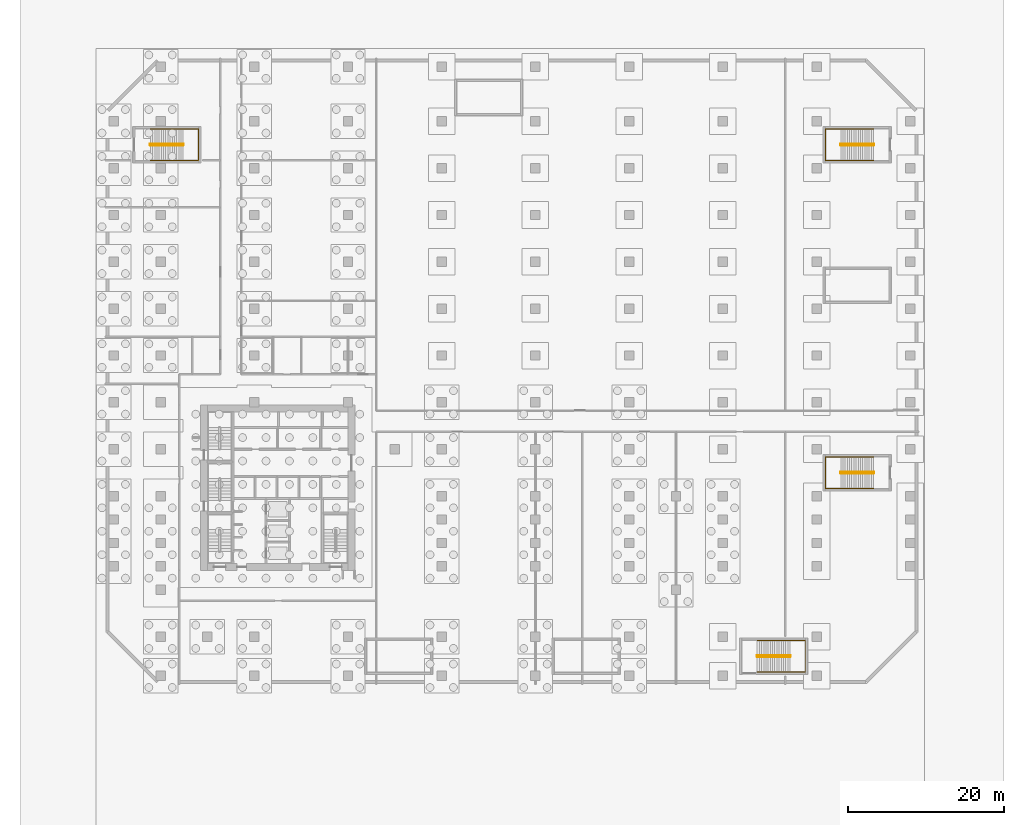
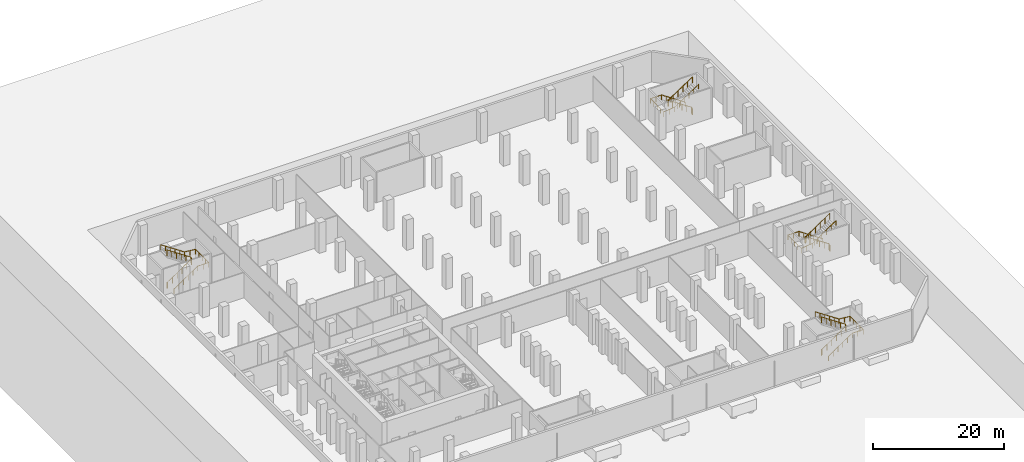
# One storey, part 15 of 16: 8 railings.
"""IFC4 building model written with IfcOpenShell, lengths in metres."""

from ifc_helpers import new_model, si_unit, direction, frame, origin, origin_2d, place, context, subcontext, project, spatial, circle, extrude, material, type_object, element, save


model = new_model("IFC4")

# Units and contexts
model_context = context("Model", 3, precision=1e-05, world=origin(), true_north=direction((0.0, 1.0)))
body_context = subcontext(model_context, "Body", "Model", "MODEL_VIEW")
ifc_project = project(units=[si_unit("LENGTHUNIT", "METRE"), si_unit("AREAUNIT", "SQUARE_METRE"), si_unit("VOLUMEUNIT", "CUBIC_METRE"), si_unit("PLANEANGLEUNIT", "RADIAN"), si_unit("MASSUNIT", "GRAM", prefix="KILO")], contexts=[model_context])

# Site, building, storey
site_placement = place(None, origin())
site = spatial("IfcSite", under=ifc_project, at=site_placement, CompositionType="ELEMENT")
building_placement = place(site_placement, origin())
building = spatial("IfcBuilding", under=site, at=building_placement, Name="Welwitschia Terrace Campus", CompositionType="ELEMENT")
storey_placement = place(building_placement, frame((0.0, 0.0, -6.0)))
storey = spatial("IfcBuildingStorey", under=building, at=storey_placement, Name="B1", CompositionType="ELEMENT", Elevation=-6.0)

# Railings
ifc_material_1 = material(Name="Steel S355", Category="steel")
railing_type_1 = type_object("IfcRailingType", Name="Stair guard 1100", PredefinedType="GUARDRAIL", material=ifc_material_1)
railing_1_placement = place(storey_placement, frame((91.35009765625, 58.925048828125, 0.0)))
element("IfcRailing", 1, at=railing_1_placement, inside=storey, type_object=railing_type_1, Name="B1 P3 stair guard", PredefinedType="GUARDRAIL", context=body_context, shape_type="SweptSolid", body=[
    extrude(circle(Radius=0.02392578125, at=origin_2d()), frame((0.0, 0.0, 1.076171875), z_axis=(0.0, 1.0, 0.0), x_axis=(-1.0, 0.0, 0.0)), (0.0, 0.0, 1.0), 0.14990234375),
    extrude(circle(Radius=0.02392578125, at=origin_2d()), frame((0.0, 0.14990234375, 1.076171875), z_axis=(-0.249726431254, 0.249726431254, 0.935560483917), x_axis=(-0.707106781187, -0.707106781187, 0.0)), (0.0, 0.0, 1.0), 0.200439453125),
    extrude(circle(Radius=0.02392578125, at=origin_2d()), frame((-0.050048828125, 0.199951171875, 1.263671875), z_axis=(-0.830904186295, 0.0, 0.556415522067), x_axis=(0.0, -1.0, 0.0)), (0.0, 0.0, 1.0), 5.0546875),
    extrude(circle(Radius=0.02392578125, at=origin_2d()), frame((-4.25, 0.199951171875, 4.076171875), z_axis=(-0.707106781187, -0.707106781187, 0.0), x_axis=(0.707106781187, -0.707106781187, 0.0)), (0.0, 0.0, 1.0), 0.07080078125),
    extrude(circle(Radius=0.02392578125, at=origin_2d()), frame((-4.300048828125, 0.14990234375, 4.076171875), z_axis=(0.0, -1.0, 0.0), x_axis=(1.0, 0.0, 0.0)), (0.0, 0.0, 1.0), 0.14990234375),
    extrude(circle(Radius=0.02392578125, at=origin_2d()), frame((-4.300048828125, 0.0, 4.076171875), z_axis=(0.249726431254, -0.249726431254, 0.935560483917), x_axis=(0.707106781187, 0.707106781187, 0.0)), (0.0, 0.0, 1.0), 0.200439453125),
    extrude(circle(Radius=0.02392578125, at=origin_2d()), frame((-4.25, -0.050048828125, 4.263671875), z_axis=(0.830904186295, 0.0, 0.556415522067), x_axis=(0.0, 1.0, 0.0)), (0.0, 0.0, 1.0), 5.0546875),
    extrude(circle(Radius=0.02099609375, at=origin_2d()), origin(), (0.0, 0.0, 1.0), 1.052001953125),
    extrude(circle(Radius=0.02099609375, at=origin_2d()), frame((0.0, 0.14990234375, 0.0)), (0.0, 0.0, 1.0), 1.052001953125),
    extrude(circle(Radius=0.02099609375, at=origin_2d()), frame((-0.050048828125, 0.199951171875, 0.1875)), (0.0, 0.0, 1.0), 1.052001953125),
    extrude(circle(Radius=0.02099609375, at=origin_2d()), frame((-0.89013671875, 0.199951171875, 0.75)), (0.0, 0.0, 1.0), 1.052001953125),
    extrude(circle(Radius=0.02099609375, at=origin_2d()), frame((-1.72998046875, 0.199951171875, 1.3125)), (0.0, 0.0, 1.0), 1.052001953125),
    extrude(circle(Radius=0.02099609375, at=origin_2d()), frame((-2.570068359375, 0.199951171875, 1.875)), (0.0, 0.0, 1.0), 1.052001953125),
    extrude(circle(Radius=0.02099609375, at=origin_2d()), frame((-3.409912109375, 0.199951171875, 2.4375)), (0.0, 0.0, 1.0), 1.052001953125),
    extrude(circle(Radius=0.02099609375, at=origin_2d()), frame((-4.25, 0.199951171875, 3.0)), (0.0, 0.0, 1.0), 1.052001953125),
    extrude(circle(Radius=0.02099609375, at=origin_2d()), frame((-4.300048828125, 0.14990234375, 3.0)), (0.0, 0.0, 1.0), 1.052001953125),
    extrude(circle(Radius=0.02099609375, at=origin_2d()), frame((-4.300048828125, 0.0, 3.0)), (0.0, 0.0, 1.0), 1.052001953125),
    extrude(circle(Radius=0.02099609375, at=origin_2d()), frame((-4.25, -0.050048828125, 3.1875)), (0.0, 0.0, 1.0), 1.052001953125),
    extrude(circle(Radius=0.02099609375, at=origin_2d()), frame((-3.409912109375, -0.050048828125, 3.75)), (0.0, 0.0, 1.0), 1.052001953125),
    extrude(circle(Radius=0.02099609375, at=origin_2d()), frame((-2.570068359375, -0.050048828125, 4.3125)), (0.0, 0.0, 1.0), 1.052001953125),
    extrude(circle(Radius=0.02099609375, at=origin_2d()), frame((-1.72998046875, -0.050048828125, 4.875)), (0.0, 0.0, 1.0), 1.052001953125),
    extrude(circle(Radius=0.02099609375, at=origin_2d()), frame((-0.89013671875, -0.050048828125, 5.4375)), (0.0, 0.0, 1.0), 1.052001953125),
    extrude(circle(Radius=0.02099609375, at=origin_2d()), frame((-0.050048828125, -0.050048828125, 6.0)), (0.0, 0.0, 1.0), 1.052001953125),
])
railing_2_placement = place(storey_placement, frame((-1.35009765625, 59.074951171875, 0.0)))
element("IfcRailing", 2, at=railing_2_placement, inside=storey, type_object=railing_type_1, Name="B1 P4 stair guard", PredefinedType="GUARDRAIL", context=body_context, shape_type="SweptSolid", body=[
    extrude(circle(Radius=0.02392578125, at=origin_2d()), frame((0.0, 0.0, 1.076171875), z_axis=(0.0, -1.0, 0.0), x_axis=(1.0, 0.0, 0.0)), (0.0, 0.0, 1.0), 0.14990234375),
    extrude(circle(Radius=0.02392578125, at=origin_2d()), frame((0.0, -0.14990234375, 1.076171875), z_axis=(0.249726431254, -0.249726431254, 0.935560483917), x_axis=(0.707106781187, 0.707106781187, 0.0)), (0.0, 0.0, 1.0), 0.200439453125),
    extrude(circle(Radius=0.02392578125, at=origin_2d()), frame((0.050048828125, -0.199951171875, 1.263671875), z_axis=(0.830904186295, 0.0, 0.556415522067), x_axis=(0.0, 1.0, 0.0)), (0.0, 0.0, 1.0), 5.0546875),
    extrude(circle(Radius=0.02392578125, at=origin_2d()), frame((4.25, -0.199951171875, 4.076171875), z_axis=(0.707106781187, 0.707106781187, 0.0), x_axis=(-0.707106781187, 0.707106781187, 0.0)), (0.0, 0.0, 1.0), 0.07080078125),
    extrude(circle(Radius=0.02392578125, at=origin_2d()), frame((4.300048828125, -0.14990234375, 4.076171875), z_axis=(0.0, 1.0, 0.0), x_axis=(-1.0, 0.0, 0.0)), (0.0, 0.0, 1.0), 0.14990234375),
    extrude(circle(Radius=0.02392578125, at=origin_2d()), frame((4.300048828125, 0.0, 4.076171875), z_axis=(-0.249726431254, 0.249726431254, 0.935560483917), x_axis=(-0.707106781187, -0.707106781187, 0.0)), (0.0, 0.0, 1.0), 0.200439453125),
    extrude(circle(Radius=0.02392578125, at=origin_2d()), frame((4.25, 0.050048828125, 4.263671875), z_axis=(-0.830904186295, 0.0, 0.556415522067), x_axis=(0.0, -1.0, 0.0)), (0.0, 0.0, 1.0), 5.0546875),
    extrude(circle(Radius=0.02099609375, at=origin_2d()), origin(), (0.0, 0.0, 1.0), 1.052001953125),
    extrude(circle(Radius=0.02099609375, at=origin_2d()), frame((0.0, -0.14990234375, 0.0)), (0.0, 0.0, 1.0), 1.052001953125),
    extrude(circle(Radius=0.02099609375, at=origin_2d()), frame((0.050048828125, -0.199951171875, 0.1875)), (0.0, 0.0, 1.0), 1.052001953125),
    extrude(circle(Radius=0.02099609375, at=origin_2d()), frame((0.89013671875, -0.199951171875, 0.75)), (0.0, 0.0, 1.0), 1.052001953125),
    extrude(circle(Radius=0.02099609375, at=origin_2d()), frame((1.72998046875, -0.199951171875, 1.3125)), (0.0, 0.0, 1.0), 1.052001953125),
    extrude(circle(Radius=0.02099609375, at=origin_2d()), frame((2.570068359375, -0.199951171875, 1.875)), (0.0, 0.0, 1.0), 1.052001953125),
    extrude(circle(Radius=0.02099609375, at=origin_2d()), frame((3.409912109375, -0.199951171875, 2.4375)), (0.0, 0.0, 1.0), 1.052001953125),
    extrude(circle(Radius=0.02099609375, at=origin_2d()), frame((4.25, -0.199951171875, 3.0)), (0.0, 0.0, 1.0), 1.052001953125),
    extrude(circle(Radius=0.02099609375, at=origin_2d()), frame((4.300048828125, -0.14990234375, 3.0)), (0.0, 0.0, 1.0), 1.052001953125),
    extrude(circle(Radius=0.02099609375, at=origin_2d()), frame((4.300048828125, 0.0, 3.0)), (0.0, 0.0, 1.0), 1.052001953125),
    extrude(circle(Radius=0.02099609375, at=origin_2d()), frame((4.25, 0.050048828125, 3.1875)), (0.0, 0.0, 1.0), 1.052001953125),
    extrude(circle(Radius=0.02099609375, at=origin_2d()), frame((3.409912109375, 0.050048828125, 3.75)), (0.0, 0.0, 1.0), 1.052001953125),
    extrude(circle(Radius=0.02099609375, at=origin_2d()), frame((2.570068359375, 0.050048828125, 4.3125)), (0.0, 0.0, 1.0), 1.052001953125),
    extrude(circle(Radius=0.02099609375, at=origin_2d()), frame((1.72998046875, 0.050048828125, 4.875)), (0.0, 0.0, 1.0), 1.052001953125),
    extrude(circle(Radius=0.02099609375, at=origin_2d()), frame((0.89013671875, 0.050048828125, 5.4375)), (0.0, 0.0, 1.0), 1.052001953125),
    extrude(circle(Radius=0.02099609375, at=origin_2d()), frame((0.050048828125, 0.050048828125, 6.0)), (0.0, 0.0, 1.0), 1.052001953125),
])
railing_3_placement = place(storey_placement, frame((76.35009765625, -6.425048828125, 0.0)))
element("IfcRailing", 3, at=railing_3_placement, inside=storey, type_object=railing_type_1, Name="B1 P5 stair guard", PredefinedType="GUARDRAIL", context=body_context, shape_type="SweptSolid", body=[
    extrude(circle(Radius=0.02392578125, at=origin_2d()), frame((0.0, 0.0, 1.076171875), z_axis=(0.0, -1.0, 0.0), x_axis=(1.0, 0.0, 0.0)), (0.0, 0.0, 1.0), 0.14990234375),
    extrude(circle(Radius=0.02392578125, at=origin_2d()), frame((0.0, -0.14990234375, 1.076171875), z_axis=(0.248583702486, -0.249802250048, 0.935844527007), x_axis=(0.708833529934, 0.705375805398, 0.0)), (0.0, 0.0, 1.0), 0.200439453125),
    extrude(circle(Radius=0.02392578125, at=origin_2d()), frame((0.0498046875, -0.199951171875, 1.263671875), z_axis=(0.830919138977, 0.0, 0.55639319234), x_axis=(0.0, 1.0, 0.0)), (0.0, 0.0, 1.0), 5.054931640625),
    extrude(circle(Radius=0.02392578125, at=origin_2d()), frame((4.25, -0.199951171875, 4.076171875), z_axis=(0.705375805398, 0.708833529934, 0.0), x_axis=(-0.708833529934, 0.705375805398, 0.0)), (0.0, 0.0, 1.0), 0.070556640625),
    extrude(circle(Radius=0.02392578125, at=origin_2d()), frame((4.2998046875, -0.14990234375, 4.076171875), z_axis=(0.0, 1.0, 0.0), x_axis=(-1.0, 0.0, 0.0)), (0.0, 0.0, 1.0), 0.14990234375),
    extrude(circle(Radius=0.02392578125, at=origin_2d()), frame((4.2998046875, 0.0, 4.076171875), z_axis=(-0.248583702486, 0.249802250048, 0.935844527007), x_axis=(-0.708833529934, -0.705375805398, 0.0)), (0.0, 0.0, 1.0), 0.200439453125),
    extrude(circle(Radius=0.02392578125, at=origin_2d()), frame((4.25, 0.050048828125, 4.263671875), z_axis=(-0.830919138977, 0.0, 0.55639319234), x_axis=(0.0, -1.0, 0.0)), (0.0, 0.0, 1.0), 5.054931640625),
    extrude(circle(Radius=0.02099609375, at=origin_2d()), origin(), (0.0, 0.0, 1.0), 1.052001953125),
    extrude(circle(Radius=0.02099609375, at=origin_2d()), frame((0.0, -0.14990234375, 0.0)), (0.0, 0.0, 1.0), 1.052001953125),
    extrude(circle(Radius=0.02099609375, at=origin_2d()), frame((0.0498046875, -0.199951171875, 0.1875)), (0.0, 0.0, 1.0), 1.052001953125),
    extrude(circle(Radius=0.02099609375, at=origin_2d()), frame((0.889892578125, -0.199951171875, 0.75)), (0.0, 0.0, 1.0), 1.052001953125),
    extrude(circle(Radius=0.02099609375, at=origin_2d()), frame((1.72998046875, -0.199951171875, 1.3125)), (0.0, 0.0, 1.0), 1.052001953125),
    extrude(circle(Radius=0.02099609375, at=origin_2d()), frame((2.56982421875, -0.199951171875, 1.875)), (0.0, 0.0, 1.0), 1.052001953125),
    extrude(circle(Radius=0.02099609375, at=origin_2d()), frame((3.409912109375, -0.199951171875, 2.4375)), (0.0, 0.0, 1.0), 1.052001953125),
    extrude(circle(Radius=0.02099609375, at=origin_2d()), frame((4.25, -0.199951171875, 3.0)), (0.0, 0.0, 1.0), 1.052001953125),
    extrude(circle(Radius=0.02099609375, at=origin_2d()), frame((4.2998046875, -0.14990234375, 3.0)), (0.0, 0.0, 1.0), 1.052001953125),
    extrude(circle(Radius=0.02099609375, at=origin_2d()), frame((4.2998046875, 0.0, 3.0)), (0.0, 0.0, 1.0), 1.052001953125),
    extrude(circle(Radius=0.02099609375, at=origin_2d()), frame((4.25, 0.050048828125, 3.1875)), (0.0, 0.0, 1.0), 1.052001953125),
    extrude(circle(Radius=0.02099609375, at=origin_2d()), frame((3.409912109375, 0.050048828125, 3.75)), (0.0, 0.0, 1.0), 1.052001953125),
    extrude(circle(Radius=0.02099609375, at=origin_2d()), frame((2.56982421875, 0.050048828125, 4.3125)), (0.0, 0.0, 1.0), 1.052001953125),
    extrude(circle(Radius=0.02099609375, at=origin_2d()), frame((1.72998046875, 0.050048828125, 4.875)), (0.0, 0.0, 1.0), 1.052001953125),
    extrude(circle(Radius=0.02099609375, at=origin_2d()), frame((0.889892578125, 0.050048828125, 5.4375)), (0.0, 0.0, 1.0), 1.052001953125),
    extrude(circle(Radius=0.02099609375, at=origin_2d()), frame((0.0498046875, 0.050048828125, 6.0)), (0.0, 0.0, 1.0), 1.052001953125),
])
railing_4_placement = place(storey_placement, frame((91.35009765625, 16.925048828125, 0.0)))
element("IfcRailing", 4, at=railing_4_placement, inside=storey, type_object=railing_type_1, Name="B1 P6 stair guard", PredefinedType="GUARDRAIL", context=body_context, shape_type="SweptSolid", body=[
    extrude(circle(Radius=0.02392578125, at=origin_2d()), frame((0.0, 0.0, 1.076171875), z_axis=(0.0, 1.0, 0.0), x_axis=(-1.0, 0.0, 0.0)), (0.0, 0.0, 1.0), 0.14990234375),
    extrude(circle(Radius=0.02392578125, at=origin_2d()), frame((0.0, 0.14990234375, 1.076171875), z_axis=(-0.249726431254, 0.249726431254, 0.935560483917), x_axis=(-0.707106781187, -0.707106781187, 0.0)), (0.0, 0.0, 1.0), 0.200439453125),
    extrude(circle(Radius=0.02392578125, at=origin_2d()), frame((-0.050048828125, 0.199951171875, 1.263671875), z_axis=(-0.830904186295, 0.0, 0.556415522067), x_axis=(0.0, -1.0, 0.0)), (0.0, 0.0, 1.0), 5.0546875),
    extrude(circle(Radius=0.02392578125, at=origin_2d()), frame((-4.25, 0.199951171875, 4.076171875), z_axis=(-0.707106781187, -0.707106781187, 0.0), x_axis=(0.707106781187, -0.707106781187, 0.0)), (0.0, 0.0, 1.0), 0.07080078125),
    extrude(circle(Radius=0.02392578125, at=origin_2d()), frame((-4.300048828125, 0.14990234375, 4.076171875), z_axis=(0.0, -1.0, 0.0), x_axis=(1.0, 0.0, 0.0)), (0.0, 0.0, 1.0), 0.14990234375),
    extrude(circle(Radius=0.02392578125, at=origin_2d()), frame((-4.300048828125, 0.0, 4.076171875), z_axis=(0.249726431254, -0.249726431254, 0.935560483917), x_axis=(0.707106781187, 0.707106781187, 0.0)), (0.0, 0.0, 1.0), 0.200439453125),
    extrude(circle(Radius=0.02392578125, at=origin_2d()), frame((-4.25, -0.050048828125, 4.263671875), z_axis=(0.830904186295, 0.0, 0.556415522067), x_axis=(0.0, 1.0, 0.0)), (0.0, 0.0, 1.0), 5.0546875),
    extrude(circle(Radius=0.02099609375, at=origin_2d()), origin(), (0.0, 0.0, 1.0), 1.052001953125),
    extrude(circle(Radius=0.02099609375, at=origin_2d()), frame((0.0, 0.14990234375, 0.0)), (0.0, 0.0, 1.0), 1.052001953125),
    extrude(circle(Radius=0.02099609375, at=origin_2d()), frame((-0.050048828125, 0.199951171875, 0.1875)), (0.0, 0.0, 1.0), 1.052001953125),
    extrude(circle(Radius=0.02099609375, at=origin_2d()), frame((-0.89013671875, 0.199951171875, 0.75)), (0.0, 0.0, 1.0), 1.052001953125),
    extrude(circle(Radius=0.02099609375, at=origin_2d()), frame((-1.72998046875, 0.199951171875, 1.3125)), (0.0, 0.0, 1.0), 1.052001953125),
    extrude(circle(Radius=0.02099609375, at=origin_2d()), frame((-2.570068359375, 0.199951171875, 1.875)), (0.0, 0.0, 1.0), 1.052001953125),
    extrude(circle(Radius=0.02099609375, at=origin_2d()), frame((-3.409912109375, 0.199951171875, 2.4375)), (0.0, 0.0, 1.0), 1.052001953125),
    extrude(circle(Radius=0.02099609375, at=origin_2d()), frame((-4.25, 0.199951171875, 3.0)), (0.0, 0.0, 1.0), 1.052001953125),
    extrude(circle(Radius=0.02099609375, at=origin_2d()), frame((-4.300048828125, 0.14990234375, 3.0)), (0.0, 0.0, 1.0), 1.052001953125),
    extrude(circle(Radius=0.02099609375, at=origin_2d()), frame((-4.300048828125, 0.0, 3.0)), (0.0, 0.0, 1.0), 1.052001953125),
    extrude(circle(Radius=0.02099609375, at=origin_2d()), frame((-4.25, -0.050048828125, 3.1875)), (0.0, 0.0, 1.0), 1.052001953125),
    extrude(circle(Radius=0.02099609375, at=origin_2d()), frame((-3.409912109375, -0.050048828125, 3.75)), (0.0, 0.0, 1.0), 1.052001953125),
    extrude(circle(Radius=0.02099609375, at=origin_2d()), frame((-2.570068359375, -0.050048828125, 4.3125)), (0.0, 0.0, 1.0), 1.052001953125),
    extrude(circle(Radius=0.02099609375, at=origin_2d()), frame((-1.72998046875, -0.050048828125, 4.875)), (0.0, 0.0, 1.0), 1.052001953125),
    extrude(circle(Radius=0.02099609375, at=origin_2d()), frame((-0.89013671875, -0.050048828125, 5.4375)), (0.0, 0.0, 1.0), 1.052001953125),
    extrude(circle(Radius=0.02099609375, at=origin_2d()), frame((-0.050048828125, -0.050048828125, 6.0)), (0.0, 0.0, 1.0), 1.052001953125),
])
ifc_material_2 = material(Name="Steel S355", Category="steel")
railing_type_2 = type_object("IfcRailingType", Name="Stair handrail 900", PredefinedType="HANDRAIL", material=ifc_material_2)
railing_5_placement = place(storey_placement, frame((91.300048828125, 61.02490234375, 0.1875)))
element("IfcRailing", 5, at=railing_5_placement, inside=storey, type_object=railing_type_2, Name="B1 P3 stair handrail", PredefinedType="HANDRAIL", context=body_context, shape_type="SweptSolid", body=[
    extrude(circle(Radius=0.02392578125, at=origin_2d()), frame((0.0, 0.0, 0.8759765625), z_axis=(-0.830904186295, 0.0, 0.556415522067), x_axis=(0.0, -1.0, 0.0)), (0.0, 0.0, 1.0), 5.0546875),
    extrude(circle(Radius=0.02392578125, at=origin_2d()), frame((-4.199951171875, 0.0, 3.6884765625), z_axis=(-1.0, 0.0, 0.0), x_axis=(0.0, -1.0, 0.0)), (0.0, 0.0, 1.0), 1.9501953125),
    extrude(circle(Radius=0.02392578125, at=origin_2d()), frame((-6.150146484375, 0.0, 3.6884765625), z_axis=(0.0, -1.0, 0.0), x_axis=(1.0, 0.0, 0.0)), (0.0, 0.0, 1.0), 4.0498046875),
    extrude(circle(Radius=0.02392578125, at=origin_2d()), frame((-6.150146484375, -4.0498046875, 3.6884765625), z_axis=(0.995409942306, 0.0, 0.095702908825), x_axis=(0.0, 1.0, 0.0)), (0.0, 0.0, 1.0), 1.959228515625),
    extrude(circle(Radius=0.02392578125, at=origin_2d()), frame((-4.199951171875, -4.0498046875, 3.8759765625), z_axis=(0.830904186295, 0.0, 0.556415522067), x_axis=(0.0, 1.0, 0.0)), (0.0, 0.0, 1.0), 5.0546875),
    extrude(circle(Radius=0.02099609375, at=origin_2d()), origin(), (0.0, 0.0, 1.0), 0.851806640625),
    extrude(circle(Radius=0.02099609375, at=origin_2d()), frame((-0.840087890625, 0.0, 0.5625)), (0.0, 0.0, 1.0), 0.851806640625),
    extrude(circle(Radius=0.02099609375, at=origin_2d()), frame((-1.679931640625, 0.0, 1.125)), (0.0, 0.0, 1.0), 0.851806640625),
    extrude(circle(Radius=0.02099609375, at=origin_2d()), frame((-2.52001953125, 0.0, 1.6875)), (0.0, 0.0, 1.0), 0.851806640625),
    extrude(circle(Radius=0.02099609375, at=origin_2d()), frame((-3.35986328125, 0.0, 2.25)), (0.0, 0.0, 1.0), 0.851806640625),
    extrude(circle(Radius=0.02099609375, at=origin_2d()), frame((-4.199951171875, 0.0, 2.8125)), (0.0, 0.0, 1.0), 0.851806640625),
    extrude(circle(Radius=0.02099609375, at=origin_2d()), frame((-5.175048828125, 0.0, 2.8125)), (0.0, 0.0, 1.0), 0.851806640625),
    extrude(circle(Radius=0.02099609375, at=origin_2d()), frame((-6.150146484375, 0.0, 2.8125)), (0.0, 0.0, 1.0), 0.851806640625),
    extrude(circle(Radius=0.02099609375, at=origin_2d()), frame((-6.150146484375, -1.012451171875, 2.8125)), (0.0, 0.0, 1.0), 0.851806640625),
    extrude(circle(Radius=0.02099609375, at=origin_2d()), frame((-6.150146484375, -2.02490234375, 2.8125)), (0.0, 0.0, 1.0), 0.851806640625),
    extrude(circle(Radius=0.02099609375, at=origin_2d()), frame((-6.150146484375, -3.037353515625, 2.8125)), (0.0, 0.0, 1.0), 0.851806640625),
    extrude(circle(Radius=0.02099609375, at=origin_2d()), frame((-6.150146484375, -4.0498046875, 2.8125)), (0.0, 0.0, 1.0), 0.851806640625),
    extrude(circle(Radius=0.02099609375, at=origin_2d()), frame((-5.175048828125, -4.0498046875, 2.90625)), (0.0, 0.0, 1.0), 0.851806640625),
    extrude(circle(Radius=0.02099609375, at=origin_2d()), frame((-4.199951171875, -4.0498046875, 3.0)), (0.0, 0.0, 1.0), 0.851806640625),
    extrude(circle(Radius=0.02099609375, at=origin_2d()), frame((-3.35986328125, -4.0498046875, 3.5625)), (0.0, 0.0, 1.0), 0.851806640625),
    extrude(circle(Radius=0.02099609375, at=origin_2d()), frame((-2.52001953125, -4.0498046875, 4.125)), (0.0, 0.0, 1.0), 0.851806640625),
    extrude(circle(Radius=0.02099609375, at=origin_2d()), frame((-1.679931640625, -4.0498046875, 4.6875)), (0.0, 0.0, 1.0), 0.851806640625),
    extrude(circle(Radius=0.02099609375, at=origin_2d()), frame((-0.840087890625, -4.0498046875, 5.25)), (0.0, 0.0, 1.0), 0.851806640625),
    extrude(circle(Radius=0.02099609375, at=origin_2d()), frame((0.0, -4.0498046875, 5.8125)), (0.0, 0.0, 1.0), 0.851806640625),
])
railing_6_placement = place(storey_placement, frame((-1.300048828125, 56.97509765625, 0.1875)))
element("IfcRailing", 6, at=railing_6_placement, inside=storey, type_object=railing_type_2, Name="B1 P4 stair handrail", PredefinedType="HANDRAIL", context=body_context, shape_type="SweptSolid", body=[
    extrude(circle(Radius=0.02392578125, at=origin_2d()), frame((0.0, 0.0, 0.8759765625), z_axis=(0.830904186295, 0.0, 0.556415522067), x_axis=(0.0, 1.0, 0.0)), (0.0, 0.0, 1.0), 5.0546875),
    extrude(circle(Radius=0.02392578125, at=origin_2d()), frame((4.199951171875, 0.0, 3.6884765625), z_axis=(1.0, 0.0, 0.0), x_axis=(0.0, 1.0, 0.0)), (0.0, 0.0, 1.0), 1.9501953125),
    extrude(circle(Radius=0.02392578125, at=origin_2d()), frame((6.150146484375, 0.0, 3.6884765625), z_axis=(0.0, 1.0, 0.0), x_axis=(-1.0, 0.0, 0.0)), (0.0, 0.0, 1.0), 4.0498046875),
    extrude(circle(Radius=0.02392578125, at=origin_2d()), frame((6.150146484375, 4.0498046875, 3.6884765625), z_axis=(-0.995409942306, 0.0, 0.095702908825), x_axis=(0.0, -1.0, 0.0)), (0.0, 0.0, 1.0), 1.959228515625),
    extrude(circle(Radius=0.02392578125, at=origin_2d()), frame((4.199951171875, 4.0498046875, 3.8759765625), z_axis=(-0.830904186295, 0.0, 0.556415522067), x_axis=(0.0, -1.0, 0.0)), (0.0, 0.0, 1.0), 5.0546875),
    extrude(circle(Radius=0.02099609375, at=origin_2d()), origin(), (0.0, 0.0, 1.0), 0.851806640625),
    extrude(circle(Radius=0.02099609375, at=origin_2d()), frame((0.840087890625, 0.0, 0.5625)), (0.0, 0.0, 1.0), 0.851806640625),
    extrude(circle(Radius=0.02099609375, at=origin_2d()), frame((1.679931640625, 0.0, 1.125)), (0.0, 0.0, 1.0), 0.851806640625),
    extrude(circle(Radius=0.02099609375, at=origin_2d()), frame((2.52001953125, 0.0, 1.6875)), (0.0, 0.0, 1.0), 0.851806640625),
    extrude(circle(Radius=0.02099609375, at=origin_2d()), frame((3.35986328125, 0.0, 2.25)), (0.0, 0.0, 1.0), 0.851806640625),
    extrude(circle(Radius=0.02099609375, at=origin_2d()), frame((4.199951171875, 0.0, 2.8125)), (0.0, 0.0, 1.0), 0.851806640625),
    extrude(circle(Radius=0.02099609375, at=origin_2d()), frame((5.175048828125, 0.0, 2.8125)), (0.0, 0.0, 1.0), 0.851806640625),
    extrude(circle(Radius=0.02099609375, at=origin_2d()), frame((6.150146484375, 0.0, 2.8125)), (0.0, 0.0, 1.0), 0.851806640625),
    extrude(circle(Radius=0.02099609375, at=origin_2d()), frame((6.150146484375, 1.012451171875, 2.8125)), (0.0, 0.0, 1.0), 0.851806640625),
    extrude(circle(Radius=0.02099609375, at=origin_2d()), frame((6.150146484375, 2.02490234375, 2.8125)), (0.0, 0.0, 1.0), 0.851806640625),
    extrude(circle(Radius=0.02099609375, at=origin_2d()), frame((6.150146484375, 3.037353515625, 2.8125)), (0.0, 0.0, 1.0), 0.851806640625),
    extrude(circle(Radius=0.02099609375, at=origin_2d()), frame((6.150146484375, 4.0498046875, 2.8125)), (0.0, 0.0, 1.0), 0.851806640625),
    extrude(circle(Radius=0.02099609375, at=origin_2d()), frame((5.175048828125, 4.0498046875, 2.90625)), (0.0, 0.0, 1.0), 0.851806640625),
    extrude(circle(Radius=0.02099609375, at=origin_2d()), frame((4.199951171875, 4.0498046875, 3.0)), (0.0, 0.0, 1.0), 0.851806640625),
    extrude(circle(Radius=0.02099609375, at=origin_2d()), frame((3.35986328125, 4.0498046875, 3.5625)), (0.0, 0.0, 1.0), 0.851806640625),
    extrude(circle(Radius=0.02099609375, at=origin_2d()), frame((2.52001953125, 4.0498046875, 4.125)), (0.0, 0.0, 1.0), 0.851806640625),
    extrude(circle(Radius=0.02099609375, at=origin_2d()), frame((1.679931640625, 4.0498046875, 4.6875)), (0.0, 0.0, 1.0), 0.851806640625),
    extrude(circle(Radius=0.02099609375, at=origin_2d()), frame((0.840087890625, 4.0498046875, 5.25)), (0.0, 0.0, 1.0), 0.851806640625),
    extrude(circle(Radius=0.02099609375, at=origin_2d()), frame((0.0, 4.0498046875, 5.8125)), (0.0, 0.0, 1.0), 0.851806640625),
])
railing_7_placement = place(storey_placement, frame((76.39990234375, -8.52490234375, 0.1875)))
element("IfcRailing", 7, at=railing_7_placement, inside=storey, type_object=railing_type_2, Name="B1 P5 stair handrail", PredefinedType="HANDRAIL", context=body_context, shape_type="SweptSolid", body=[
    extrude(circle(Radius=0.02392578125, at=origin_2d()), frame((0.0, 0.0, 0.8759765625), z_axis=(0.830919138977, 0.0, 0.55639319234), x_axis=(0.0, 1.0, 0.0)), (0.0, 0.0, 1.0), 5.054931640625),
    extrude(circle(Radius=0.02392578125, at=origin_2d()), frame((4.2001953125, 0.0, 3.6884765625), z_axis=(1.0, 0.0, 0.0), x_axis=(0.0, 1.0, 0.0)), (0.0, 0.0, 1.0), 1.949951171875),
    extrude(circle(Radius=0.02392578125, at=origin_2d()), frame((6.150146484375, 0.0, 3.6884765625), z_axis=(0.0, 1.0, 0.0), x_axis=(-1.0, 0.0, 0.0)), (0.0, 0.0, 1.0), 4.0498046875),
    extrude(circle(Radius=0.02392578125, at=origin_2d()), frame((6.150146484375, 4.0498046875, 3.6884765625), z_axis=(-0.995408800756, 0.0, 0.095714781392), x_axis=(0.0, -1.0, 0.0)), (0.0, 0.0, 1.0), 1.958984375),
    extrude(circle(Radius=0.02392578125, at=origin_2d()), frame((4.2001953125, 4.0498046875, 3.8759765625), z_axis=(-0.830919138977, 0.0, 0.55639319234), x_axis=(0.0, -1.0, 0.0)), (0.0, 0.0, 1.0), 5.054931640625),
    extrude(circle(Radius=0.02099609375, at=origin_2d()), origin(), (0.0, 0.0, 1.0), 0.851806640625),
    extrude(circle(Radius=0.02099609375, at=origin_2d()), frame((0.840087890625, 0.0, 0.5625)), (0.0, 0.0, 1.0), 0.851806640625),
    extrude(circle(Radius=0.02099609375, at=origin_2d()), frame((1.68017578125, 0.0, 1.125)), (0.0, 0.0, 1.0), 0.851806640625),
    extrude(circle(Radius=0.02099609375, at=origin_2d()), frame((2.52001953125, 0.0, 1.6875)), (0.0, 0.0, 1.0), 0.851806640625),
    extrude(circle(Radius=0.02099609375, at=origin_2d()), frame((3.360107421875, 0.0, 2.25)), (0.0, 0.0, 1.0), 0.851806640625),
    extrude(circle(Radius=0.02099609375, at=origin_2d()), frame((4.2001953125, 0.0, 2.8125)), (0.0, 0.0, 1.0), 0.851806640625),
    extrude(circle(Radius=0.02099609375, at=origin_2d()), frame((5.17529296875, 0.0, 2.8125)), (0.0, 0.0, 1.0), 0.851806640625),
    extrude(circle(Radius=0.02099609375, at=origin_2d()), frame((6.150146484375, 0.0, 2.8125)), (0.0, 0.0, 1.0), 0.851806640625),
    extrude(circle(Radius=0.02099609375, at=origin_2d()), frame((6.150146484375, 1.012451171875, 2.8125)), (0.0, 0.0, 1.0), 0.851806640625),
    extrude(circle(Radius=0.02099609375, at=origin_2d()), frame((6.150146484375, 2.02490234375, 2.8125)), (0.0, 0.0, 1.0), 0.851806640625),
    extrude(circle(Radius=0.02099609375, at=origin_2d()), frame((6.150146484375, 3.037353515625, 2.8125)), (0.0, 0.0, 1.0), 0.851806640625),
    extrude(circle(Radius=0.02099609375, at=origin_2d()), frame((6.150146484375, 4.0498046875, 2.8125)), (0.0, 0.0, 1.0), 0.851806640625),
    extrude(circle(Radius=0.02099609375, at=origin_2d()), frame((5.17529296875, 4.0498046875, 2.90625)), (0.0, 0.0, 1.0), 0.851806640625),
    extrude(circle(Radius=0.02099609375, at=origin_2d()), frame((4.2001953125, 4.0498046875, 3.0)), (0.0, 0.0, 1.0), 0.851806640625),
    extrude(circle(Radius=0.02099609375, at=origin_2d()), frame((3.360107421875, 4.0498046875, 3.5625)), (0.0, 0.0, 1.0), 0.851806640625),
    extrude(circle(Radius=0.02099609375, at=origin_2d()), frame((2.52001953125, 4.0498046875, 4.125)), (0.0, 0.0, 1.0), 0.851806640625),
    extrude(circle(Radius=0.02099609375, at=origin_2d()), frame((1.68017578125, 4.0498046875, 4.6875)), (0.0, 0.0, 1.0), 0.851806640625),
    extrude(circle(Radius=0.02099609375, at=origin_2d()), frame((0.840087890625, 4.0498046875, 5.25)), (0.0, 0.0, 1.0), 0.851806640625),
    extrude(circle(Radius=0.02099609375, at=origin_2d()), frame((0.0, 4.0498046875, 5.8125)), (0.0, 0.0, 1.0), 0.851806640625),
])
railing_8_placement = place(storey_placement, frame((91.300048828125, 19.02490234375, 0.1875)))
element("IfcRailing", 8, at=railing_8_placement, inside=storey, type_object=railing_type_2, Name="B1 P6 stair handrail", PredefinedType="HANDRAIL", context=body_context, shape_type="SweptSolid", body=[
    extrude(circle(Radius=0.02392578125, at=origin_2d()), frame((0.0, 0.0, 0.8759765625), z_axis=(-0.830904186295, 0.0, 0.556415522067), x_axis=(0.0, -1.0, 0.0)), (0.0, 0.0, 1.0), 5.0546875),
    extrude(circle(Radius=0.02392578125, at=origin_2d()), frame((-4.199951171875, 0.0, 3.6884765625), z_axis=(-1.0, 0.0, 0.0), x_axis=(0.0, -1.0, 0.0)), (0.0, 0.0, 1.0), 1.9501953125),
    extrude(circle(Radius=0.02392578125, at=origin_2d()), frame((-6.150146484375, 0.0, 3.6884765625), z_axis=(0.0, -1.0, 0.0), x_axis=(1.0, 0.0, 0.0)), (0.0, 0.0, 1.0), 4.0498046875),
    extrude(circle(Radius=0.02392578125, at=origin_2d()), frame((-6.150146484375, -4.0498046875, 3.6884765625), z_axis=(0.995409942306, 0.0, 0.095702908825), x_axis=(0.0, 1.0, 0.0)), (0.0, 0.0, 1.0), 1.959228515625),
    extrude(circle(Radius=0.02392578125, at=origin_2d()), frame((-4.199951171875, -4.0498046875, 3.8759765625), z_axis=(0.830904186295, 0.0, 0.556415522067), x_axis=(0.0, 1.0, 0.0)), (0.0, 0.0, 1.0), 5.0546875),
    extrude(circle(Radius=0.02099609375, at=origin_2d()), origin(), (0.0, 0.0, 1.0), 0.851806640625),
    extrude(circle(Radius=0.02099609375, at=origin_2d()), frame((-0.840087890625, 0.0, 0.5625)), (0.0, 0.0, 1.0), 0.851806640625),
    extrude(circle(Radius=0.02099609375, at=origin_2d()), frame((-1.679931640625, 0.0, 1.125)), (0.0, 0.0, 1.0), 0.851806640625),
    extrude(circle(Radius=0.02099609375, at=origin_2d()), frame((-2.52001953125, 0.0, 1.6875)), (0.0, 0.0, 1.0), 0.851806640625),
    extrude(circle(Radius=0.02099609375, at=origin_2d()), frame((-3.35986328125, 0.0, 2.25)), (0.0, 0.0, 1.0), 0.851806640625),
    extrude(circle(Radius=0.02099609375, at=origin_2d()), frame((-4.199951171875, 0.0, 2.8125)), (0.0, 0.0, 1.0), 0.851806640625),
    extrude(circle(Radius=0.02099609375, at=origin_2d()), frame((-5.175048828125, 0.0, 2.8125)), (0.0, 0.0, 1.0), 0.851806640625),
    extrude(circle(Radius=0.02099609375, at=origin_2d()), frame((-6.150146484375, 0.0, 2.8125)), (0.0, 0.0, 1.0), 0.851806640625),
    extrude(circle(Radius=0.02099609375, at=origin_2d()), frame((-6.150146484375, -1.012451171875, 2.8125)), (0.0, 0.0, 1.0), 0.851806640625),
    extrude(circle(Radius=0.02099609375, at=origin_2d()), frame((-6.150146484375, -2.02490234375, 2.8125)), (0.0, 0.0, 1.0), 0.851806640625),
    extrude(circle(Radius=0.02099609375, at=origin_2d()), frame((-6.150146484375, -3.037353515625, 2.8125)), (0.0, 0.0, 1.0), 0.851806640625),
    extrude(circle(Radius=0.02099609375, at=origin_2d()), frame((-6.150146484375, -4.0498046875, 2.8125)), (0.0, 0.0, 1.0), 0.851806640625),
    extrude(circle(Radius=0.02099609375, at=origin_2d()), frame((-5.175048828125, -4.0498046875, 2.90625)), (0.0, 0.0, 1.0), 0.851806640625),
    extrude(circle(Radius=0.02099609375, at=origin_2d()), frame((-4.199951171875, -4.0498046875, 3.0)), (0.0, 0.0, 1.0), 0.851806640625),
    extrude(circle(Radius=0.02099609375, at=origin_2d()), frame((-3.35986328125, -4.0498046875, 3.5625)), (0.0, 0.0, 1.0), 0.851806640625),
    extrude(circle(Radius=0.02099609375, at=origin_2d()), frame((-2.52001953125, -4.0498046875, 4.125)), (0.0, 0.0, 1.0), 0.851806640625),
    extrude(circle(Radius=0.02099609375, at=origin_2d()), frame((-1.679931640625, -4.0498046875, 4.6875)), (0.0, 0.0, 1.0), 0.851806640625),
    extrude(circle(Radius=0.02099609375, at=origin_2d()), frame((-0.840087890625, -4.0498046875, 5.25)), (0.0, 0.0, 1.0), 0.851806640625),
    extrude(circle(Radius=0.02099609375, at=origin_2d()), frame((0.0, -4.0498046875, 5.8125)), (0.0, 0.0, 1.0), 0.851806640625),
])

save(model, "model.ifc")
